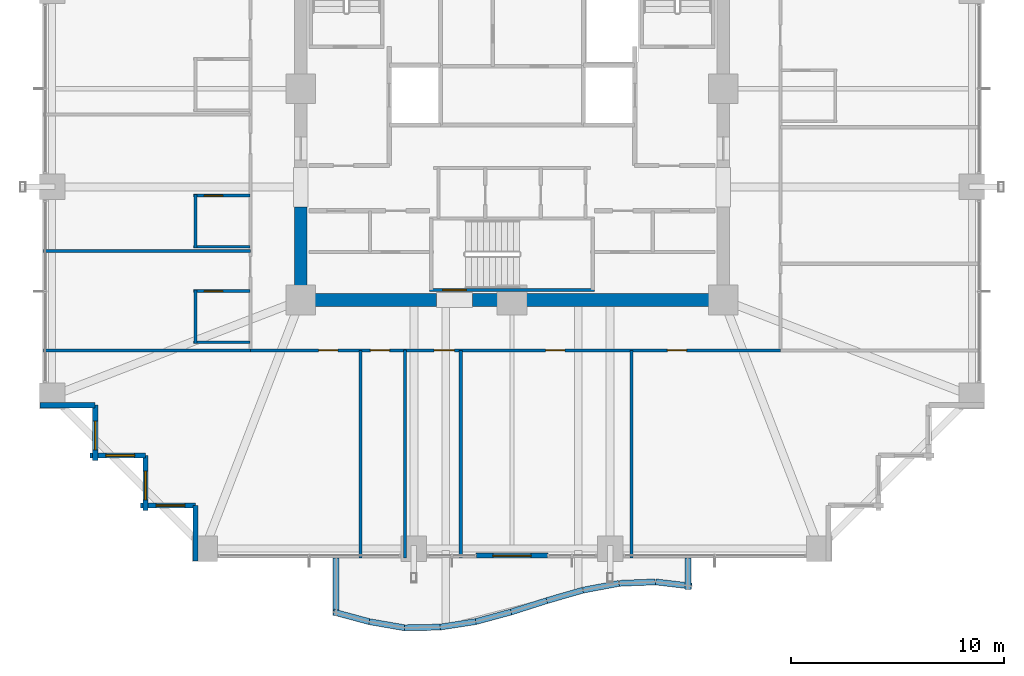
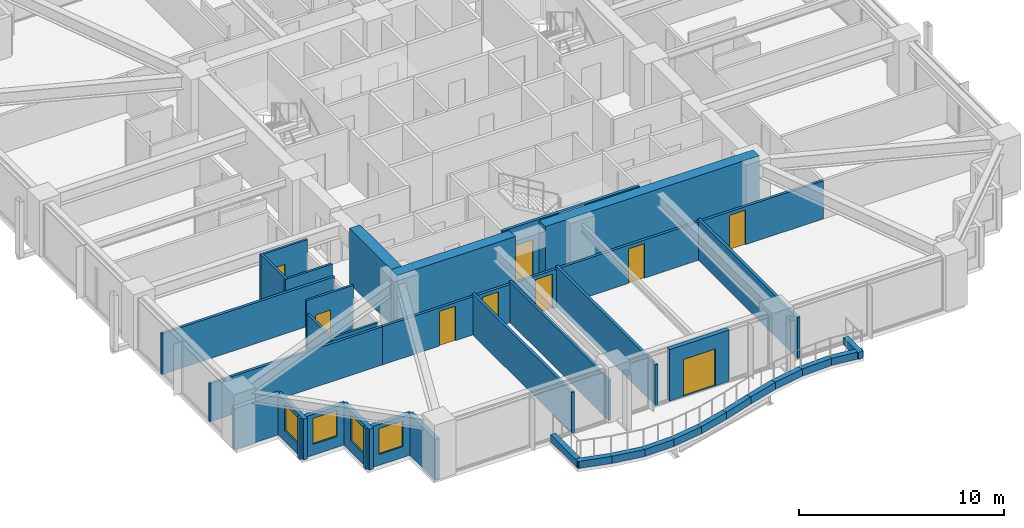
# One storey, part 31 of 38: 36 walls, 9 doors, 4 windows, 13 openings.
"""IFC4 building model written with IfcOpenShell, lengths in metres."""

import ifcopenshell
import ifcopenshell.guid

model = None  # the IFC model being written
_history = None  # IfcOwnerHistory: only IFC2X3 demands one
_inside = {}  # id of a spatial element -> (the spatial element, [elements in it])
_under = {}  # id of a project, library or spatial element -> (it, [spatial elements below it])
_declared = {}  # id of a project -> (the project, [libraries it declares])
_typed = {}  # id of a type object -> (the type object, [elements of that type])
_made_of = {}  # id of a material, layer set ... -> (it, [elements and type objects made of it])


def new_model(schema):
    """Start an empty IFC model of exactly this schema.

    Asked for "IFC4X3", IfcOpenShell would pick the latest addendum, in which some entities
    have other attributes; the version numbers below select the first issue.
    IFC2X3 requires an IfcOwnerHistory on every rooted entity: one is made here for all.
    """
    global model, _history
    if schema == "IFC4X3":
        model = ifcopenshell.file(schema_version=(4, 3, 0, 0))
    else:
        model = ifcopenshell.file(schema=schema)
    _inside.clear()
    _under.clear()
    _declared.clear()
    _typed.clear()
    _made_of.clear()
    _history = None
    if model.schema == "IFC2X3":
        org = make("IfcOrganization", Name="unknown")
        user = make(
            "IfcPersonAndOrganization",
            ThePerson=make("IfcPerson", FamilyName="unknown"),
            TheOrganization=org,
        )
        app = make(
            "IfcApplication",
            ApplicationDeveloper=org,
            Version="unknown",
            ApplicationFullName="unknown",
            ApplicationIdentifier="unknown",
        )
        _history = make(
            "IfcOwnerHistory",
            OwningUser=user,
            OwningApplication=app,
            ChangeAction="ADDED",
            CreationDate=0,
        )
    return model


def make(cls, **values):
    """One entity of the class cls with the attributes given. An attribute that is None is left unset."""
    return model.create_entity(
        cls, **{name: value for name, value in values.items() if value is not None}
    )


def rooted(cls, **values):
    """An entity with a GlobalId (a new one), such as an element, a storey or a relation."""
    return make(cls, GlobalId=ifcopenshell.guid.new(), OwnerHistory=_history, **values)


def si_unit(unit_type, name, prefix=None):
    """IfcSIUnit, for example si_unit("LENGTHUNIT", "METRE", prefix="MILLI")."""
    return make("IfcSIUnit", UnitType=unit_type, Prefix=prefix, Name=name)


def assignment(units):
    """IfcUnitAssignment: the units of a project."""
    return None if units is None else make("IfcUnitAssignment", Units=units)


def point(xyz):
    """IfcCartesianPoint."""
    return None if xyz is None else make("IfcCartesianPoint", Coordinates=xyz)


def direction(xyz):
    """IfcDirection."""
    return None if xyz is None else make("IfcDirection", DirectionRatios=xyz)


def frame(location, z_axis=None, x_axis=None):
    """IfcAxis2Placement3D, a coordinate frame: its origin and axes. An axis left out is left unset."""
    return make(
        "IfcAxis2Placement3D",
        Location=point(location),
        Axis=direction(z_axis),
        RefDirection=direction(x_axis),
    )


def frame_2d(location, x_axis=None):
    """IfcAxis2Placement2D, a coordinate frame in the plane: its origin and x axis."""
    return make(
        "IfcAxis2Placement2D", Location=point(location), RefDirection=direction(x_axis)
    )


def origin():
    """The frame at (0, 0, 0) with its axes left unset."""
    return frame((0.0, 0.0, 0.0))


def place(relative_to, where):
    """IfcLocalPlacement: puts the frame where relative to a parent placement (None: the world)."""
    return make(
        "IfcLocalPlacement", PlacementRelTo=relative_to, RelativePlacement=where
    )


def context(
    kind, dimensions, precision=None, world=None, true_north=None, identifier=None
):
    """IfcGeometricRepresentationContext, for example the 3D "Model" context."""
    return make(
        "IfcGeometricRepresentationContext",
        ContextIdentifier=identifier,
        ContextType=kind,
        CoordinateSpaceDimension=dimensions,
        Precision=precision,
        WorldCoordinateSystem=world,
        TrueNorth=true_north,
    )


def subcontext(parent, identifier, kind, view, scale=None):
    """IfcGeometricRepresentationSubContext, for example "Body" below "Model"."""
    return make(
        "IfcGeometricRepresentationSubContext",
        ContextIdentifier=identifier,
        ContextType=kind,
        ParentContext=parent,
        TargetScale=scale,
        TargetView=view,
    )


def project(units=None, contexts=None):
    """IfcProject with its units and contexts."""
    return rooted(
        "IfcProject",
        Name="project",
        RepresentationContexts=contexts,
        UnitsInContext=assignment(units),
    )


def spatial(cls, under=None, at=None, **own):
    """A site, building, storey or space (cls), placed at a placement, below another one or the project."""
    s = rooted(cls, ObjectPlacement=at, **own)
    if under is not None:
        _under.setdefault(under.id(), (under, []))[1].append(s)
    return s


def profile(cls, at=None, kind="AREA", **sizes):
    """A parametric profile (cls). Its sizes go by their IFC names, for example OverallWidth=200.0."""
    return make(cls, ProfileType=kind, Position=at, **sizes)


def rectangle(**sizes):
    """IfcRectangleProfileDef."""
    return profile("IfcRectangleProfileDef", **sizes)


def extrude(swept, where, along, depth):
    """IfcExtrudedAreaSolid: the profile swept, set in the frame where, extruded along a direction by depth."""
    return make(
        "IfcExtrudedAreaSolid",
        SweptArea=swept,
        Position=where,
        ExtrudedDirection=direction(along),
        Depth=depth,
    )


def shape(context_of_items, identifier, shape_type, items):
    """IfcShapeRepresentation: the items that make up one representation, for example the "Body"."""
    return make(
        "IfcShapeRepresentation",
        ContextOfItems=context_of_items,
        RepresentationIdentifier=identifier,
        RepresentationType=shape_type,
        Items=items,
    )


def material(Name=None, Category=None):
    """IfcMaterial."""
    return make("IfcMaterial", Name=Name, Category=Category)


def layer(
    of_material, thickness, ventilated=None, Name=None, Category=None, Priority=None
):
    """IfcMaterialLayer: one layer of a wall or slab, of a material (None: an air gap)."""
    return make(
        "IfcMaterialLayer",
        Material=of_material,
        LayerThickness=thickness,
        IsVentilated=ventilated,
        Name=Name,
        Category=Category,
        Priority=Priority,
    )


def layer_set(layers, Name=None):
    """IfcMaterialLayerSet."""
    return make("IfcMaterialLayerSet", MaterialLayers=layers, LayerSetName=Name)


def made_of(thing, what):
    """Note that an element or type object is made of a material, layer set ...; save() writes the relation."""
    if what is not None:
        _made_of.setdefault(what.id(), (what, []))[1].append(thing)
    return thing


def type_object(cls, material=None, **own):
    """A type object (cls), such as IfcWallType, which elements share."""
    return made_of(rooted(cls, **own), material)


def element(
    cls,
    number,
    at=None,
    inside=None,
    cuts=None,
    type_object=None,
    material=None,
    context=None,
    identifier="Body",
    shape_type=None,
    held_by="IfcProductDefinitionShape",
    body=None,
    shapes=None,
    **own,
):
    """One element of the class cls, such as IfcWall. Its Tag is "e" and its number.

    at: its placement. inside: the storey or other place that contains it. cuts: it is an
    opening in that element (IfcRelVoidsElement). A single representation is given by context,
    identifier, shape_type and body (its items); several are given by shapes. held_by: the class
    of the entity that holds the representations. save() writes the other relations.
    """
    e = rooted(cls, Tag="e%d" % number, ObjectPlacement=at, **own)
    if body is not None:
        shapes = [shape(context, identifier, shape_type, body)]
    if shapes is not None:
        e.Representation = make(held_by, Representations=shapes)
    if inside is not None:
        _inside.setdefault(inside.id(), (inside, []))[1].append(e)
    if cuts is not None:
        rooted(
            "IfcRelVoidsElement", RelatingBuildingElement=cuts, RelatedOpeningElement=e
        )
    if type_object is not None:
        _typed.setdefault(type_object.id(), (type_object, []))[1].append(e)
    return made_of(e, material)


def fill(opening, filler):
    """IfcRelFillsElement: the door or window that sits in an opening."""
    return rooted(
        "IfcRelFillsElement",
        RelatingOpeningElement=opening,
        RelatedBuildingElement=filler,
    )


def aggregate(whole, parts):
    """IfcRelAggregates: a whole, such as a stair, and the parts it consists of."""
    return rooted("IfcRelAggregates", RelatingObject=whole, RelatedObjects=parts)


def save(model, path):
    """Write the relations noted so far, then the file.

    IfcRelAggregates (storeys below a building ...), IfcRelContainedInSpatialStructure (elements
    in a storey), IfcRelDefinesByType, IfcRelAssociatesMaterial and IfcRelDeclares: one each for
    every whole, place, type object, material and project.
    """
    for whole, parts in _under.values():
        aggregate(whole, parts)
    for where, things in _inside.values():
        rooted(
            "IfcRelContainedInSpatialStructure",
            RelatedElements=things,
            RelatingStructure=where,
        )
    for kind, things in _typed.values():
        rooted("IfcRelDefinesByType", RelatedObjects=things, RelatingType=kind)
    for what, things in _made_of.values():
        rooted("IfcRelAssociatesMaterial", RelatedObjects=things, RelatingMaterial=what)
    for by, libraries in _declared.values():
        rooted("IfcRelDeclares", RelatingContext=by, RelatedDefinitions=libraries)
    model.write(path)


model = new_model("IFC4")

# Units and contexts
model_context = context("Model", 3, precision=1e-05, world=origin(), true_north=direction((0.0, 1.0)))
body_context = subcontext(model_context, "Body", "Model", "MODEL_VIEW")
ifc_project = project(units=[si_unit("LENGTHUNIT", "METRE"), si_unit("AREAUNIT", "SQUARE_METRE"), si_unit("VOLUMEUNIT", "CUBIC_METRE"), si_unit("PLANEANGLEUNIT", "RADIAN"), si_unit("MASSUNIT", "GRAM", prefix="KILO")], contexts=[model_context])

# Site, building, storey
site_placement = place(None, origin())
site = spatial("IfcSite", under=ifc_project, at=site_placement, CompositionType="ELEMENT")
building_placement = place(site_placement, origin())
building = spatial("IfcBuilding", under=site, at=building_placement, Name="Kolvaren Belvedere", CompositionType="ELEMENT")
storey_placement = place(building_placement, frame((0.0, 0.0, 50.199951171875)))
storey = spatial("IfcBuildingStorey", under=building, at=storey_placement, Name="L14", CompositionType="ELEMENT", Elevation=50.199951171875)

# Walls
ifc_material_1 = material(Name="Concrete C60/75", Category="concrete")
ifc_layer_1 = layer(ifc_material_1, 0.60009765625)
ifc_layer_set_1 = layer_set([ifc_layer_1], Name="Concrete C60/75")
wall_type_1 = type_object("IfcWallType", Name="CW-CORE-600", PredefinedType="SHEAR", material=ifc_layer_set_1)
wall_1_placement = place(storey_placement, frame((10.199951171875, -9.89990234375, 0.0), z_axis=(0.0, 0.0, 1.0), x_axis=(-1.0, 0.0, 0.0)))
element("IfcWall", 1, at=wall_1_placement, inside=storey, type_object=wall_type_1, Name="L14 South Core Shear Wall 1", PredefinedType="SHEAR", context=body_context, shape_type="SweptSolid", body=[
    extrude(rectangle(XDim=12.06005859375, YDim=0.60009765625, at=frame_2d((6.030029296875, 0.0))), origin(), (0.0, 0.0, 1.0), 3.300048828125),
])
wall_2_placement = place(storey_placement, frame((-3.5400390625, -9.89990234375, 0.0), z_axis=(0.0, 0.0, 1.0), x_axis=(-1.0, 0.0, 0.0)))
element("IfcWall", 2, at=wall_2_placement, inside=storey, type_object=wall_type_1, Name="L14 South Core Shear Wall 2", PredefinedType="SHEAR", context=body_context, shape_type="SweptSolid", body=[
    extrude(rectangle(XDim=6.659912109375, YDim=0.60009765625, at=frame_2d((3.330078125, 0.0))), origin(), (0.0, 0.0, 1.0), 3.300048828125),
])
wall_3_placement = place(storey_placement, frame((-9.89990234375, -9.60009765625, 0.0), z_axis=(0.0, 0.0, 1.0), x_axis=(0.0, 1.0, 0.0)))
element("IfcWall", 3, at=wall_3_placement, inside=storey, type_object=wall_type_1, Name="L14 West Core Shear Wall 1", PredefinedType="SHEAR", context=body_context, shape_type="SweptSolid", body=[
    extrude(rectangle(XDim=4.050048828125, YDim=0.60009765625, at=frame_2d((2.02490234375, 0.0))), origin(), (0.0, 0.0, 1.0), 3.300048828125),
])

# Wall, opening, door
ifc_material_2 = material(Name="Concrete C50/60", Category="concrete")
ifc_layer_2 = layer(ifc_material_2, 0.159912109375)
ifc_layer_set_2 = layer_set([ifc_layer_2], Name="Concrete C50/60")
wall_type_2 = type_object("IfcWallType", Name="CW-STAIR-160", PredefinedType="SHEAR", material=ifc_layer_set_2)
wall_4_placement = place(storey_placement, frame((3.860107421875, -9.429931640625, 0.0), z_axis=(0.0, 0.0, 1.0), x_axis=(-1.0, 0.0, 0.0)))
wall_4 = element("IfcWall", 4, at=wall_4_placement, inside=storey, type_object=wall_type_2, Name="L14 Stair ST-3 South Shear Wall", PredefinedType="SHEAR", context=body_context, shape_type="SweptSolid", body=[
    extrude(rectangle(XDim=7.72021484375, YDim=0.159912109375, at=frame_2d((3.860107421875, 0.0))), origin(), (0.0, 0.0, 1.0), 3.300048828125),
])
opening_1_placement = place(wall_4_placement, frame((6.010009765625, 0.0, 0.0)))
opening_1 = element("IfcOpeningElement", 5, at=opening_1_placement, cuts=wall_4, Name="Opening D-FD90", PredefinedType="OPENING", context=body_context, shape_type="SweptSolid", body=[
    extrude(rectangle(XDim=1.10009765625, YDim=2.199951171875, at=frame_2d((0.550048828125, 1.10009765625))), frame((0.0, 0.08984375, 0.0), z_axis=(0.0, -1.0, 0.0), x_axis=(1.0, 0.0, 0.0)), (0.0, 0.0, 1.0), 0.179931640625),
])
ifc_material_3 = material(Name="Painted hollow stainless steel", Category="steel")
door_type_1 = type_object("IfcDoorType", Name="DR-FD90-1100", OperationType="NOTDEFINED", PredefinedType="DOOR", material=ifc_material_3)
door_1_placement = place(opening_1_placement, origin())
door_1 = element("IfcDoor", 6, at=door_1_placement, inside=storey, type_object=door_type_1, Name="L14 Stair ST-3 Exit Door", OperationType="SINGLE_SWING_RIGHT", OverallHeight=2.199951171875, OverallWidth=1.10009765625, PredefinedType="DOOR", context=body_context, shape_type="SweptSolid", body=[
    extrude(rectangle(XDim=1.10009765625, YDim=2.199951171875, at=frame_2d((0.550048828125, 1.10009765625))), frame((0.0, 0.02490234375, 0.0), z_axis=(0.0, -1.0, 0.0), x_axis=(1.0, 0.0, 0.0)), (0.0, 0.0, 1.0), 0.050048828125),
])
fill(opening_1, door_1)

# Wall, openings, doors
ifc_material_4 = material(Name="Gypsum fire-rated partition assembly", Category="gypsum")
ifc_layer_3 = layer(ifc_material_4, 0.14990234375)
ifc_layer_set_3 = layer_set([ifc_layer_3], Name="Gypsum fire-rated partition assembly")
wall_type_3 = type_object("IfcWallType", Name="WL-CORR-150", PredefinedType="PARTITIONING", material=ifc_layer_set_3)
wall_5_placement = place(storey_placement, frame((-12.260009765625, -12.260009765625, 0.0), z_axis=(0.0, 0.0, 1.0), x_axis=(1.0, 0.0, 0.0)))
wall_5 = element("IfcWall", 7, at=wall_5_placement, inside=storey, type_object=wall_type_3, Name="L14 South Corridor Wall", PredefinedType="PARTITIONING", context=body_context, shape_type="SweptSolid", body=[
    extrude(rectangle(XDim=24.840087890625, YDim=0.14990234375, at=frame_2d((12.419921875, 0.0))), origin(), (0.0, 0.0, 1.0), 2.27197265625),
])
opening_2_placement = place(wall_5_placement, frame((3.203125, 0.0, 0.0)))
opening_2 = element("IfcOpeningElement", 8, at=opening_2_placement, cuts=wall_5, Name="Opening D-INT90", PredefinedType="OPENING", context=body_context, shape_type="SweptSolid", body=[
    extrude(rectangle(XDim=0.89990234375, YDim=2.06005859375, at=frame_2d((0.449951171875, 1.030029296875))), frame((0.0, 0.0849609375, 0.0), z_axis=(0.0, -1.0, 0.0), x_axis=(1.0, 0.0, 0.0)), (0.0, 0.0, 1.0), 0.169921875),
])
opening_3_placement = place(wall_5_placement, frame((5.628173828125, 0.0, 0.0)))
opening_3 = element("IfcOpeningElement", 9, at=opening_3_placement, cuts=wall_5, Name="Opening D-INT90", PredefinedType="OPENING", context=body_context, shape_type="SweptSolid", body=[
    extrude(rectangle(XDim=0.89990234375, YDim=2.06005859375, at=frame_2d((0.449951171875, 1.030029296875))), frame((0.0, 0.0849609375, 0.0), z_axis=(0.0, -1.0, 0.0), x_axis=(1.0, 0.0, 0.0)), (0.0, 0.0, 1.0), 0.169921875),
])
opening_4_placement = place(wall_5_placement, frame((8.610595703125, 0.0, 0.0)))
opening_4 = element("IfcOpeningElement", 10, at=opening_4_placement, cuts=wall_5, Name="Opening D-INT95", PredefinedType="OPENING", context=body_context, shape_type="SweptSolid", body=[
    extrude(rectangle(XDim=0.949951171875, YDim=2.06005859375, at=frame_2d((0.47509765625, 1.030029296875))), frame((0.0, 0.0849609375, 0.0), z_axis=(0.0, -1.0, 0.0), x_axis=(1.0, 0.0, 0.0)), (0.0, 0.0, 1.0), 0.169921875),
])
opening_5_placement = place(wall_5_placement, frame((13.840087890625, 0.0, 0.0)))
opening_5 = element("IfcOpeningElement", 11, at=opening_5_placement, cuts=wall_5, Name="Opening D-INT90", PredefinedType="OPENING", context=body_context, shape_type="SweptSolid", body=[
    extrude(rectangle(XDim=0.89990234375, YDim=2.06005859375, at=frame_2d((0.449951171875, 1.030029296875))), frame((0.0, 0.0849609375, 0.0), z_axis=(0.0, -1.0, 0.0), x_axis=(1.0, 0.0, 0.0)), (0.0, 0.0, 1.0), 0.169921875),
])
opening_6_placement = place(wall_5_placement, frame((19.5419921875, 0.0, 0.0)))
opening_6 = element("IfcOpeningElement", 12, at=opening_6_placement, cuts=wall_5, Name="Opening D-INT90", PredefinedType="OPENING", context=body_context, shape_type="SweptSolid", body=[
    extrude(rectangle(XDim=0.89990234375, YDim=2.06005859375, at=frame_2d((0.449951171875, 1.030029296875))), frame((0.0, 0.0849609375, 0.0), z_axis=(0.0, -1.0, 0.0), x_axis=(1.0, 0.0, 0.0)), (0.0, 0.0, 1.0), 0.169921875),
])
ifc_material_5 = material(Name="Stained Pacific white oak", Category="timber")
door_type_2 = type_object("IfcDoorType", Name="DR-INT-900", OperationType="NOTDEFINED", PredefinedType="DOOR", material=ifc_material_5)
door_2_placement = place(opening_2_placement, origin())
door_2 = element("IfcDoor", 13, at=door_2_placement, inside=storey, type_object=door_type_2, Name="L14 Lounge 1401 Door", OperationType="SINGLE_SWING_RIGHT", OverallHeight=2.06005859375, OverallWidth=0.89990234375, PredefinedType="DOOR", context=body_context, shape_type="SweptSolid", body=[
    extrude(rectangle(XDim=0.89990234375, YDim=2.06005859375, at=frame_2d((0.449951171875, 1.030029296875))), frame((0.0, 0.02490234375, 0.0), z_axis=(0.0, -1.0, 0.0), x_axis=(1.0, 0.0, 0.0)), (0.0, 0.0, 1.0), 0.050048828125),
])
fill(opening_2, door_2)
door_3_placement = place(opening_3_placement, origin())
door_3 = element("IfcDoor", 14, at=door_3_placement, inside=storey, type_object=door_type_2, Name="L14 Housekeeping Door", OperationType="SINGLE_SWING_LEFT", OverallHeight=2.06005859375, OverallWidth=0.89990234375, PredefinedType="DOOR", context=body_context, shape_type="SweptSolid", body=[
    extrude(rectangle(XDim=0.89990234375, YDim=2.06005859375, at=frame_2d((0.449951171875, 1.030029296875))), frame((0.0, 0.02490234375, 0.0), z_axis=(0.0, -1.0, 0.0), x_axis=(1.0, 0.0, 0.0)), (0.0, 0.0, 1.0), 0.050048828125),
])
fill(opening_3, door_3)
door_4_placement = place(opening_5_placement, origin())
door_4 = element("IfcDoor", 15, at=door_4_placement, inside=storey, type_object=door_type_2, Name="L14 Private Hospitality Meeting Room 1402 Door", OperationType="SINGLE_SWING_LEFT", OverallHeight=2.06005859375, OverallWidth=0.89990234375, PredefinedType="DOOR", context=body_context, shape_type="SweptSolid", body=[
    extrude(rectangle(XDim=0.89990234375, YDim=2.06005859375, at=frame_2d((0.449951171875, 1.030029296875))), frame((0.0, 0.02490234375, 0.0), z_axis=(0.0, -1.0, 0.0), x_axis=(1.0, 0.0, 0.0)), (0.0, 0.0, 1.0), 0.050048828125),
])
fill(opening_5, door_4)
door_5_placement = place(opening_6_placement, origin())
door_5 = element("IfcDoor", 16, at=door_5_placement, inside=storey, type_object=door_type_2, Name="L14 Lounge 1403 Door", OperationType="SINGLE_SWING_RIGHT", OverallHeight=2.06005859375, OverallWidth=0.89990234375, PredefinedType="DOOR", context=body_context, shape_type="SweptSolid", body=[
    extrude(rectangle(XDim=0.89990234375, YDim=2.06005859375, at=frame_2d((0.449951171875, 1.030029296875))), frame((0.0, 0.02490234375, 0.0), z_axis=(0.0, -1.0, 0.0), x_axis=(1.0, 0.0, 0.0)), (0.0, 0.0, 1.0), 0.050048828125),
])
fill(opening_6, door_5)
ifc_material_6 = material(Name="Stained Pacific white oak", Category="timber")
door_type_3 = type_object("IfcDoorType", Name="DR-INT-950", OperationType="NOTDEFINED", PredefinedType="DOOR", material=ifc_material_6)
door_6_placement = place(opening_4_placement, origin())
door_6 = element("IfcDoor", 17, at=door_6_placement, inside=storey, type_object=door_type_3, Name="L14 Accessible Washroom Door", OperationType="SINGLE_SWING_RIGHT", OverallHeight=2.06005859375, OverallWidth=0.949951171875, PredefinedType="DOOR", context=body_context, shape_type="SweptSolid", body=[
    extrude(rectangle(XDim=0.949951171875, YDim=2.06005859375, at=frame_2d((0.47509765625, 1.030029296875))), frame((0.0, 0.02490234375, 0.0), z_axis=(0.0, -1.0, 0.0), x_axis=(1.0, 0.0, 0.0)), (0.0, 0.0, 1.0), 0.050048828125),
])
fill(opening_4, door_6)

# Wall, opening, door
ifc_material_7 = material(Name="Insulated pale-metal facade wall assembly", Category="aluminium")
ifc_layer_4 = layer(ifc_material_7, 0.239990234375)
ifc_layer_set_4 = layer_set([ifc_layer_4], Name="Insulated pale-metal facade wall assembly")
wall_type_4 = type_object("IfcWallType", Name="WL-EXT-240", PredefinedType="STANDARD", material=ifc_layer_set_4)
wall_6_placement = place(storey_placement, frame((1.679931640625, -21.8798828125, 0.0), z_axis=(0.0, 0.0, 1.0), x_axis=(-1.0, 0.0, 0.0)))
wall_6 = element("IfcWall", 18, at=wall_6_placement, inside=storey, type_object=wall_type_4, Name="L14 South Terrace Portal Wall", PredefinedType="STANDARD", context=body_context, shape_type="SweptSolid", body=[
    extrude(rectangle(XDim=3.35986328125, YDim=0.239990234375, at=frame_2d((1.679931640625, 0.0))), origin(), (0.0, 0.0, 1.0), 3.06005859375),
])
opening_7_placement = place(wall_6_placement, frame((0.780029296875, 0.0, 0.0)))
opening_7 = element("IfcOpeningElement", 19, at=opening_7_placement, cuts=wall_6, Name="Opening DB-1800", PredefinedType="OPENING", context=body_context, shape_type="SweptSolid", body=[
    extrude(rectangle(XDim=1.800048828125, YDim=2.199951171875, at=frame_2d((0.89990234375, 1.10009765625))), frame((0.0, 0.1298828125, 0.0), z_axis=(0.0, -1.0, 0.0), x_axis=(1.0, 0.0, 0.0)), (0.0, 0.0, 1.0), 0.260009765625),
])
ifc_material_8 = material(Name="Thermally broken pale-metal aluminium & low-iron glass", Category="aluminium")
door_type_4 = type_object("IfcDoorType", Name="DR-BAL-1800", OperationType="DOUBLE_DOOR_SLIDING", PredefinedType="DOOR", material=ifc_material_8)
door_7_placement = place(opening_7_placement, origin())
door_7 = element("IfcDoor", 20, at=door_7_placement, inside=storey, type_object=door_type_4, Name="L14 South Planted Terrace Sliding Door", OperationType="DOUBLE_DOOR_SLIDING", OverallHeight=2.199951171875, OverallWidth=1.800048828125, PredefinedType="DOOR", context=body_context, shape_type="SweptSolid", body=[
    extrude(rectangle(XDim=1.800048828125, YDim=2.199951171875, at=frame_2d((0.89990234375, 1.10009765625))), frame((0.0, 0.02490234375, 0.0), z_axis=(0.0, -1.0, 0.0), x_axis=(1.0, 0.0, 0.0)), (0.0, 0.0, 1.0), 0.050048828125),
])
fill(opening_7, door_7)

# Wall
wall_7_placement = place(storey_placement, frame((-19.530029296875, -14.830078125, 0.0), z_axis=(0.0, 0.0, 1.0), x_axis=(-1.0, 0.0, 0.0)))
element("IfcWall", 21, at=wall_7_placement, inside=storey, type_object=wall_type_4, Name="L14 Serrated Corner Facade Wall 23", PredefinedType="STANDARD", context=body_context, shape_type="SweptSolid", body=[
    extrude(rectangle(XDim=2.590087890625, YDim=0.239990234375, at=frame_2d((1.294921875, 0.0))), origin(), (0.0, 0.0, 1.0), 2.43896484375),
])

# Wall, opening, window
wall_8_placement = place(storey_placement, frame((-19.530029296875, -17.419921875, 0.0), z_axis=(0.0, 0.0, 1.0), x_axis=(0.0, 1.0, 0.0)))
wall_8 = element("IfcWall", 22, at=wall_8_placement, inside=storey, type_object=wall_type_4, Name="L14 Serrated Corner Facade Wall 24", PredefinedType="STANDARD", context=body_context, shape_type="SweptSolid", body=[
    extrude(rectangle(XDim=2.58984375, YDim=0.239990234375, at=frame_2d((1.294921875, 0.0))), origin(), (0.0, 0.0, 1.0), 2.43896484375),
])
opening_8_placement = place(wall_8_placement, frame((0.5, 0.0, 0.64990234375)))
opening_8 = element("IfcOpeningElement", 23, at=opening_8_placement, cuts=wall_8, Name="Opening W-1350", PredefinedType="OPENING", context=body_context, shape_type="SweptSolid", body=[
    extrude(rectangle(XDim=1.35009765625, YDim=1.550048828125, at=frame_2d((0.675048828125, 0.77490234375))), frame((0.0, 0.1298828125, 0.0), z_axis=(0.0, -1.0, 0.0), x_axis=(1.0, 0.0, 0.0)), (0.0, 0.0, 1.0), 0.260009765625),
])
ifc_material_9 = material(Name="Low-iron triple insulated glass", Category="glass")
window_type = type_object("IfcWindowType", Name="WN-CORN-1350", PartitioningType="SINGLE_PANEL", PredefinedType="WINDOW", material=ifc_material_9)
window_1_placement = place(opening_8_placement, origin())
window_1 = element("IfcWindow", 24, at=window_1_placement, inside=storey, type_object=window_type, Name="L14 Serrated Corner Vision Window 24", OverallHeight=1.550048828125, OverallWidth=1.35009765625, PartitioningType="SINGLE_PANEL", PredefinedType="WINDOW", context=body_context, shape_type="SweptSolid", body=[
    extrude(rectangle(XDim=1.35009765625, YDim=1.550048828125, at=frame_2d((0.675048828125, 0.77490234375))), frame((0.0, 0.030029296875, 0.0), z_axis=(0.0, -1.0, 0.0), x_axis=(1.0, 0.0, 0.0)), (0.0, 0.0, 1.0), 0.06005859375),
])
fill(opening_8, window_1)

wall_9_placement = place(storey_placement, frame((-17.179931640625, -17.179931640625, 0.0), z_axis=(0.0, 0.0, 1.0), x_axis=(-1.0, 0.0, 0.0)))
wall_9 = element("IfcWall", 25, at=wall_9_placement, inside=storey, type_object=wall_type_4, Name="L14 Serrated Corner Facade Wall 25", PredefinedType="STANDARD", context=body_context, shape_type="SweptSolid", body=[
    extrude(rectangle(XDim=2.590087890625, YDim=0.239990234375, at=frame_2d((1.294921875, 0.0))), origin(), (0.0, 0.0, 1.0), 2.43896484375),
])
opening_9_placement = place(wall_9_placement, frame((0.5, 0.0, 0.64990234375)))
opening_9 = element("IfcOpeningElement", 26, at=opening_9_placement, cuts=wall_9, Name="Opening W-1350", PredefinedType="OPENING", context=body_context, shape_type="SweptSolid", body=[
    extrude(rectangle(XDim=1.35009765625, YDim=1.550048828125, at=frame_2d((0.675048828125, 0.77490234375))), frame((0.0, 0.1298828125, 0.0), z_axis=(0.0, -1.0, 0.0), x_axis=(1.0, 0.0, 0.0)), (0.0, 0.0, 1.0), 0.260009765625),
])
window_2_placement = place(opening_9_placement, origin())
window_2 = element("IfcWindow", 27, at=window_2_placement, inside=storey, type_object=window_type, Name="L14 Serrated Corner Vision Window 25", OverallHeight=1.550048828125, OverallWidth=1.35009765625, PartitioningType="SINGLE_PANEL", PredefinedType="WINDOW", context=body_context, shape_type="SweptSolid", body=[
    extrude(rectangle(XDim=1.35009765625, YDim=1.550048828125, at=frame_2d((0.675048828125, 0.77490234375))), frame((0.0, 0.030029296875, 0.0), z_axis=(0.0, -1.0, 0.0), x_axis=(1.0, 0.0, 0.0)), (0.0, 0.0, 1.0), 0.06005859375),
])
fill(opening_9, window_2)

wall_10_placement = place(storey_placement, frame((-17.179931640625, -19.77001953125, 0.0), z_axis=(0.0, 0.0, 1.0), x_axis=(0.0, 1.0, 0.0)))
wall_10 = element("IfcWall", 28, at=wall_10_placement, inside=storey, type_object=wall_type_4, Name="L14 Serrated Corner Facade Wall 26", PredefinedType="STANDARD", context=body_context, shape_type="SweptSolid", body=[
    extrude(rectangle(XDim=2.590087890625, YDim=0.239990234375, at=frame_2d((1.294921875, 0.0))), origin(), (0.0, 0.0, 1.0), 2.43896484375),
])
opening_10_placement = place(wall_10_placement, frame((0.5, 0.0, 0.64990234375)))
opening_10 = element("IfcOpeningElement", 29, at=opening_10_placement, cuts=wall_10, Name="Opening W-1350", PredefinedType="OPENING", context=body_context, shape_type="SweptSolid", body=[
    extrude(rectangle(XDim=1.35009765625, YDim=1.550048828125, at=frame_2d((0.675048828125, 0.77490234375))), frame((0.0, 0.1298828125, 0.0), z_axis=(0.0, -1.0, 0.0), x_axis=(1.0, 0.0, 0.0)), (0.0, 0.0, 1.0), 0.260009765625),
])
window_3_placement = place(opening_10_placement, origin())
window_3 = element("IfcWindow", 30, at=window_3_placement, inside=storey, type_object=window_type, Name="L14 Serrated Corner Vision Window 26", OverallHeight=1.550048828125, OverallWidth=1.35009765625, PartitioningType="SINGLE_PANEL", PredefinedType="WINDOW", context=body_context, shape_type="SweptSolid", body=[
    extrude(rectangle(XDim=1.35009765625, YDim=1.550048828125, at=frame_2d((0.675048828125, 0.77490234375))), frame((0.0, 0.030029296875, 0.0), z_axis=(0.0, -1.0, 0.0), x_axis=(1.0, 0.0, 0.0)), (0.0, 0.0, 1.0), 0.06005859375),
])
fill(opening_10, window_3)

wall_11_placement = place(storey_placement, frame((-14.830078125, -19.530029296875, 0.0), z_axis=(0.0, 0.0, 1.0), x_axis=(-1.0, 0.0, 0.0)))
wall_11 = element("IfcWall", 31, at=wall_11_placement, inside=storey, type_object=wall_type_4, Name="L14 Serrated Corner Facade Wall 27", PredefinedType="STANDARD", context=body_context, shape_type="SweptSolid", body=[
    extrude(rectangle(XDim=2.58984375, YDim=0.239990234375, at=frame_2d((1.294921875, 0.0))), origin(), (0.0, 0.0, 1.0), 2.43896484375),
])
opening_11_placement = place(wall_11_placement, frame((0.5, 0.0, 0.64990234375)))
opening_11 = element("IfcOpeningElement", 32, at=opening_11_placement, cuts=wall_11, Name="Opening W-1350", PredefinedType="OPENING", context=body_context, shape_type="SweptSolid", body=[
    extrude(rectangle(XDim=1.35009765625, YDim=1.550048828125, at=frame_2d((0.675048828125, 0.77490234375))), frame((0.0, 0.1298828125, 0.0), z_axis=(0.0, -1.0, 0.0), x_axis=(1.0, 0.0, 0.0)), (0.0, 0.0, 1.0), 0.260009765625),
])
window_4_placement = place(opening_11_placement, origin())
window_4 = element("IfcWindow", 33, at=window_4_placement, inside=storey, type_object=window_type, Name="L14 Serrated Corner Vision Window 27", OverallHeight=1.550048828125, OverallWidth=1.35009765625, PartitioningType="SINGLE_PANEL", PredefinedType="WINDOW", context=body_context, shape_type="SweptSolid", body=[
    extrude(rectangle(XDim=1.35009765625, YDim=1.550048828125, at=frame_2d((0.675048828125, 0.77490234375))), frame((0.0, 0.030029296875, 0.0), z_axis=(0.0, -1.0, 0.0), x_axis=(1.0, 0.0, 0.0)), (0.0, 0.0, 1.0), 0.06005859375),
])
fill(opening_11, window_4)

# Walls
wall_12_placement = place(storey_placement, frame((-14.830078125, -22.1201171875, 0.0), z_axis=(0.0, 0.0, 1.0), x_axis=(0.0, 1.0, 0.0)))
element("IfcWall", 34, at=wall_12_placement, inside=storey, type_object=wall_type_4, Name="L14 Serrated Corner Facade Wall 28", PredefinedType="STANDARD", context=body_context, shape_type="SweptSolid", body=[
    extrude(rectangle(XDim=2.590087890625, YDim=0.239990234375, at=frame_2d((1.294921875, 0.0))), origin(), (0.0, 0.0, 1.0), 2.43896484375),
])
ifc_material_10 = material(Name="Gypsum acoustic partition assembly", Category="gypsum")
ifc_layer_5 = layer(ifc_material_10, 0.14990234375)
ifc_layer_set_5 = layer_set([ifc_layer_5], Name="Gypsum acoustic partition assembly")
wall_type_5 = type_object("IfcWallType", Name="WL-PART-150", PredefinedType="PARTITIONING", material=ifc_layer_set_5)
wall_13_placement = place(storey_placement, frame((-21.97998046875, -12.260009765625, 0.0), z_axis=(0.0, 0.0, 1.0), x_axis=(1.0, 0.0, 0.0)))
element("IfcWall", 35, at=wall_13_placement, inside=storey, type_object=wall_type_5, Name="L14 Wing Divider PW-L14-QSW", PredefinedType="PARTITIONING", context=body_context, shape_type="SweptSolid", body=[
    extrude(rectangle(XDim=9.719970703125, YDim=0.14990234375, at=frame_2d((4.85986328125, 0.0))), origin(), (0.0, 0.0, 1.0), 2.27197265625),
])
for number, where, z_axis, x_axis, name in (
    (36, (-7.10009765625, -21.97998046875, 0.0), (0.0, 0.0, 1.0), (0.0, 1.0, 0.0), "L14 South Suite Demising Wall 1"),
    (37, (-2.39990234375, -21.97998046875, 0.0), (0.0, 0.0, 1.0), (0.0, 1.0, 0.0), "L14 South Suite Demising Wall 2"),
    (38, (5.60009765625, -21.97998046875, 0.0), (0.0, 0.0, 1.0), (0.0, 1.0, 0.0), "L14 South Suite Demising Wall 3"),
    (39, (-21.97998046875, -7.60009765625, 0.0), (0.0, 0.0, 1.0), (1.0, 0.0, 0.0), "L14 West Suite Demising Wall 1"),
):
    element("IfcWall", number, at=place(storey_placement, frame(where, z_axis=z_axis, x_axis=x_axis)), inside=storey, type_object=wall_type_5, Name=name, PredefinedType="PARTITIONING", context=body_context, shape_type="SweptSolid", body=[
        extrude(rectangle(XDim=9.719970703125, YDim=0.14990234375, at=frame_2d((4.85986328125, 0.0))), origin(), (0.0, 0.0, 1.0), 2.428955078125),
    ])
ifc_material_11 = material(Name="Precast concrete C40/50", Category="concrete")
ifc_layer_6 = layer(ifc_material_11, 0.300048828125)
ifc_layer_set_6 = layer_set([ifc_layer_6], Name="Precast concrete C40/50")
wall_type_6 = type_object("IfcWallType", Name="WL-PLANTER-300", PredefinedType="PARAPET", material=ifc_layer_set_6)
wall_14_placement = place(storey_placement, frame((-8.3583984375, -24.519287109375, -0.06005859375), z_axis=(0.0, 0.0, 1.0), x_axis=(0.965434024814, -0.260647546949, 0.0)))
element("IfcWall", 40, at=wall_14_placement, inside=storey, type_object=wall_type_6, Name="L14 Precast Structural Planter Wall BAL-S-1", PredefinedType="PARAPET", context=body_context, shape_type="SweptSolid", body=[
    extrude(rectangle(XDim=1.740234375, YDim=0.280029296875, at=frame_2d((0.8701171875, 0.0))), origin(), (0.0, 0.0, 1.0), 0.420166015625),
])
wall_15_placement = place(storey_placement, frame((-6.6923828125, -24.9697265625, -0.06005859375), z_axis=(0.0, 0.0, 1.0), x_axis=(0.985156010777, -0.171661394699, 0.0)))
element("IfcWall", 41, at=wall_15_placement, inside=storey, type_object=wall_type_6, Name="L14 Precast Structural Planter Wall BAL-S-2", PredefinedType="PARAPET", context=body_context, shape_type="SweptSolid", body=[
    extrude(rectangle(XDim=1.705322265625, YDim=0.280029296875, at=frame_2d((0.8525390625, 0.0))), origin(), (0.0, 0.0, 1.0), 0.420166015625),
])
wall_16_placement = place(storey_placement, frame((-5.043212890625, -25.260009765625, -0.06005859375), z_axis=(0.0, 0.0, 1.0), x_axis=(0.999796031266, 0.020196431964, 0.0)))
element("IfcWall", 42, at=wall_16_placement, inside=storey, type_object=wall_type_6, Name="L14 Precast Structural Planter Wall BAL-S-3", PredefinedType="PARAPET", context=body_context, shape_type="SweptSolid", body=[
    extrude(rectangle(XDim=1.68017578125, YDim=0.280029296875, at=frame_2d((0.840087890625, 0.0))), origin(), (0.0, 0.0, 1.0), 0.420166015625),
])
wall_17_placement = place(storey_placement, frame((-3.384521484375, -25.22802734375, -0.06005859375), z_axis=(0.0, 0.0, 1.0), x_axis=(0.988345118302, 0.152229849666, 0.0)))
element("IfcWall", 43, at=wall_17_placement, inside=storey, type_object=wall_type_6, Name="L14 Precast Structural Planter Wall BAL-S-4", PredefinedType="PARAPET", context=body_context, shape_type="SweptSolid", body=[
    extrude(rectangle(XDim=1.699951171875, YDim=0.280029296875, at=frame_2d((0.85009765625, 0.0))), origin(), (0.0, 0.0, 1.0), 0.420166015625),
])
wall_18_placement = place(storey_placement, frame((-1.7216796875, -24.972900390625, -0.06005859375), z_axis=(0.0, 0.0, 1.0), x_axis=(0.965424492388, 0.260682852326, 0.0)))
element("IfcWall", 44, at=wall_18_placement, inside=storey, type_object=wall_type_6, Name="L14 Precast Structural Planter Wall BAL-S-5", PredefinedType="PARAPET", context=body_context, shape_type="SweptSolid", body=[
    extrude(rectangle(XDim=1.739990234375, YDim=0.280029296875, at=frame_2d((0.8701171875, 0.0))), origin(), (0.0, 0.0, 1.0), 0.420166015625),
])
wall_19_placement = place(storey_placement, frame((-0.048583984375, -24.521240234375, -0.06005859375), z_axis=(0.0, 0.0, 1.0), x_axis=(0.952661770826, 0.304032153573, 0.0)))
element("IfcWall", 45, at=wall_19_placement, inside=storey, type_object=wall_type_6, Name="L14 Precast Structural Planter Wall BAL-S-6", PredefinedType="PARAPET", context=body_context, shape_type="SweptSolid", body=[
    extrude(rectangle(XDim=1.763427734375, YDim=0.280029296875, at=frame_2d((0.8818359375, 0.0))), origin(), (0.0, 0.0, 1.0), 0.420166015625),
])
wall_20_placement = place(storey_placement, frame((1.635498046875, -23.98388671875, -0.06005859375), z_axis=(0.0, 0.0, 1.0), x_axis=(0.96059663827, 0.277946215201, 0.0)))
element("IfcWall", 46, at=wall_20_placement, inside=storey, type_object=wall_type_6, Name="L14 Precast Structural Planter Wall BAL-S-7", PredefinedType="PARAPET", context=body_context, shape_type="SweptSolid", body=[
    extrude(rectangle(XDim=1.748779296875, YDim=0.280029296875, at=frame_2d((0.87451171875, 0.0))), origin(), (0.0, 0.0, 1.0), 0.420166015625),
])
wall_21_placement = place(storey_placement, frame((3.330322265625, -23.494384765625, -0.06005859375), z_axis=(0.0, 0.0, 1.0), x_axis=(0.982804219087, 0.184650661912, 0.0)))
element("IfcWall", 47, at=wall_21_placement, inside=storey, type_object=wall_type_6, Name="L14 Precast Structural Planter Wall BAL-S-8", PredefinedType="PARAPET", context=body_context, shape_type="SweptSolid", body=[
    extrude(rectangle(XDim=1.70947265625, YDim=0.280029296875, at=frame_2d((0.854736328125, 0.0))), origin(), (0.0, 0.0, 1.0), 0.420166015625),
])
wall_22_placement = place(storey_placement, frame((5.03369140625, -23.17578125, -0.06005859375), z_axis=(0.0, 0.0, 1.0), x_axis=(0.999202349922, 0.039933243166, 0.0)))
element("IfcWall", 48, at=wall_22_placement, inside=storey, type_object=wall_type_6, Name="L14 Precast Structural Planter Wall BAL-S-9", PredefinedType="PARAPET", context=body_context, shape_type="SweptSolid", body=[
    extrude(rectangle(XDim=1.68115234375, YDim=0.280029296875, at=frame_2d((0.840576171875, 0.0))), origin(), (0.0, 0.0, 1.0), 0.420166015625),
])
wall_23_placement = place(storey_placement, frame((6.73876953125, -23.109619140625, -0.06005859375), z_axis=(0.0, 0.0, 1.0), x_axis=(0.993142720498, -0.116908240605, 0.0)))
element("IfcWall", 49, at=wall_23_placement, inside=storey, type_object=wall_type_6, Name="L14 Precast Structural Planter Wall BAL-S-10", PredefinedType="PARAPET", context=body_context, shape_type="SweptSolid", body=[
    extrude(rectangle(XDim=1.691650390625, YDim=0.280029296875, at=frame_2d((0.845703125, 0.0))), origin(), (0.0, 0.0, 1.0), 0.420166015625),
])
wall_24_placement = place(storey_placement, frame((8.239990234375, -23.46630859375, -0.06005859375), z_axis=(0.0, 0.0, 1.0), x_axis=(0.0, 1.0, 0.0)))
element("IfcWall", 50, at=wall_24_placement, inside=storey, type_object=wall_type_6, Name="L14 Precast Structural Planter Wall BAL-S-11", PredefinedType="PARAPET", context=body_context, shape_type="SweptSolid", body=[
    extrude(rectangle(XDim=1.46630859375, YDim=0.280029296875, at=frame_2d((0.733154296875, 0.0))), origin(), (0.0, 0.0, 1.0), 0.420166015625),
])
wall_25_placement = place(storey_placement, frame((-8.239990234375, -22.0, -0.06005859375), z_axis=(0.0, 0.0, 1.0), x_axis=(0.0, -1.0, 0.0)))
element("IfcWall", 51, at=wall_25_placement, inside=storey, type_object=wall_type_6, Name="L14 Precast Structural Planter Wall BAL-S-22", PredefinedType="PARAPET", context=body_context, shape_type="SweptSolid", body=[
    extrude(rectangle(XDim=2.673583984375, YDim=0.280029296875, at=frame_2d((1.3369140625, 0.0))), origin(), (0.0, 0.0, 1.0), 0.420166015625),
])
ifc_material_12 = material(Name="Moisture-resistant gypsum partition", Category="gypsum")
ifc_layer_7 = layer(ifc_material_12, 0.125)
ifc_layer_set_7 = layer_set([ifc_layer_7], Name="Moisture-resistant gypsum partition")
wall_type_7 = type_object("IfcWallType", Name="WL-WET-125", PredefinedType="PARTITIONING", material=ifc_layer_set_7)
wall_26_placement = place(storey_placement, frame((-5.014892578125, -21.97998046875, 0.0), z_axis=(0.0, 0.0, 1.0), x_axis=(0.0, 1.0, 0.0)))
element("IfcWall", 52, at=wall_26_placement, inside=storey, type_object=wall_type_7, Name="L14 Housekeeping Washroom Divider", PredefinedType="PARTITIONING", context=body_context, shape_type="SweptSolid", body=[
    extrude(rectangle(XDim=9.744873046875, YDim=0.125, at=frame_2d((4.87255859375, 0.0))), origin(), (0.0, 0.0, 1.0), 2.428955078125),
])

# Wall, opening, door
wall_27_placement = place(storey_placement, frame((-14.9150390625, -9.48095703125, 0.0), z_axis=(0.0, 0.0, 1.0), x_axis=(1.0, 0.0, 0.0)))
wall_27 = element("IfcWall", 53, at=wall_27_placement, inside=storey, type_object=wall_type_7, Name="L14 Bathroom Partition PW-L14-BTH-8-N", PredefinedType="PARTITIONING", context=body_context, shape_type="SweptSolid", body=[
    extrude(rectangle(XDim=2.64013671875, YDim=0.125, at=frame_2d((1.320068359375, 0.0))), origin(), (0.0, 0.0, 1.0), 3.06005859375),
])
opening_12_placement = place(wall_27_placement, frame((0.5, 0.0, 0.0)))
opening_12 = element("IfcOpeningElement", 54, at=opening_12_placement, cuts=wall_27, Name="Opening D-BTH85", PredefinedType="OPENING", context=body_context, shape_type="SweptSolid", body=[
    extrude(rectangle(XDim=0.85009765625, YDim=2.030029296875, at=frame_2d((0.425048828125, 1.01513671875))), frame((0.0, 0.072509765625, 0.0), z_axis=(0.0, -1.0, 0.0), x_axis=(1.0, 0.0, 0.0)), (0.0, 0.0, 1.0), 0.14501953125),
])
ifc_material_13 = material(Name="Moisture-sealed Pacific white oak", Category="timber")
door_type_5 = type_object("IfcDoorType", Name="DR-BATH-850", OperationType="NOTDEFINED", PredefinedType="DOOR", material=ifc_material_13)
door_8_placement = place(opening_12_placement, origin())
door_8 = element("IfcDoor", 55, at=door_8_placement, inside=storey, type_object=door_type_5, Name="L14 En-Suite Bathroom 1408 Door", OperationType="SINGLE_SWING_LEFT", OverallHeight=2.030029296875, OverallWidth=0.85009765625, PredefinedType="DOOR", context=body_context, shape_type="SweptSolid", body=[
    extrude(rectangle(XDim=0.85009765625, YDim=2.030029296875, at=frame_2d((0.425048828125, 1.01513671875))), frame((0.0, 0.02490234375, 0.0), z_axis=(0.0, -1.0, 0.0), x_axis=(1.0, 0.0, 0.0)), (0.0, 0.0, 1.0), 0.050048828125),
])
fill(opening_12, door_8)

# Walls
wall_28_placement = place(storey_placement, frame((-14.8349609375, -11.94091796875, 0.0), z_axis=(0.0, 0.0, 1.0), x_axis=(0.0, 1.0, 0.0)))
element("IfcWall", 56, at=wall_28_placement, inside=storey, type_object=wall_type_7, Name="L14 Bathroom Partition PW-L14-BTH-8-V", PredefinedType="PARTITIONING", context=body_context, shape_type="SweptSolid", body=[
    extrude(rectangle(XDim=2.52001953125, YDim=0.125, at=frame_2d((1.260009765625, 0.0))), origin(), (0.0, 0.0, 1.0), 2.27197265625),
])
wall_29_placement = place(storey_placement, frame((-14.9150390625, -11.881103515625, 0.0), z_axis=(0.0, 0.0, 1.0), x_axis=(1.0, 0.0, 0.0)))
element("IfcWall", 57, at=wall_29_placement, inside=storey, type_object=wall_type_7, Name="L14 Bathroom Partition PW-L14-BTH-8-S", PredefinedType="PARTITIONING", context=body_context, shape_type="SweptSolid", body=[
    extrude(rectangle(XDim=2.64013671875, YDim=0.125, at=frame_2d((1.320068359375, 0.0))), origin(), (0.0, 0.0, 1.0), 2.27197265625),
])

# Wall, opening, door
wall_30_placement = place(storey_placement, frame((-14.9150390625, -5.0048828125, 0.0), z_axis=(0.0, 0.0, 1.0), x_axis=(1.0, 0.0, 0.0)))
wall_30 = element("IfcWall", 58, at=wall_30_placement, inside=storey, type_object=wall_type_7, Name="L14 Bathroom Partition PW-L14-BTH-9-N", PredefinedType="PARTITIONING", context=body_context, shape_type="SweptSolid", body=[
    extrude(rectangle(XDim=2.64013671875, YDim=0.125, at=frame_2d((1.320068359375, 0.0))), origin(), (0.0, 0.0, 1.0), 3.06005859375),
])
opening_13_placement = place(wall_30_placement, frame((0.5, 0.0, 0.0)))
opening_13 = element("IfcOpeningElement", 59, at=opening_13_placement, cuts=wall_30, Name="Opening D-BTH85", PredefinedType="OPENING", context=body_context, shape_type="SweptSolid", body=[
    extrude(rectangle(XDim=0.85009765625, YDim=2.030029296875, at=frame_2d((0.425048828125, 1.01513671875))), frame((0.0, 0.072509765625, 0.0), z_axis=(0.0, -1.0, 0.0), x_axis=(1.0, 0.0, 0.0)), (0.0, 0.0, 1.0), 0.14501953125),
])
door_9_placement = place(opening_13_placement, origin())
door_9 = element("IfcDoor", 60, at=door_9_placement, inside=storey, type_object=door_type_5, Name="L14 En-Suite Bathroom 1409 Door", OperationType="SINGLE_SWING_LEFT", OverallHeight=2.030029296875, OverallWidth=0.85009765625, PredefinedType="DOOR", context=body_context, shape_type="SweptSolid", body=[
    extrude(rectangle(XDim=0.85009765625, YDim=2.030029296875, at=frame_2d((0.425048828125, 1.01513671875))), frame((0.0, 0.02490234375, 0.0), z_axis=(0.0, -1.0, 0.0), x_axis=(1.0, 0.0, 0.0)), (0.0, 0.0, 1.0), 0.050048828125),
])
fill(opening_13, door_9)

# Walls
wall_31_placement = place(storey_placement, frame((-14.8349609375, -7.465087890625, 0.0), z_axis=(0.0, 0.0, 1.0), x_axis=(0.0, 1.0, 0.0)))
element("IfcWall", 61, at=wall_31_placement, inside=storey, type_object=wall_type_7, Name="L14 Bathroom Partition PW-L14-BTH-9-V", PredefinedType="PARTITIONING", context=body_context, shape_type="SweptSolid", body=[
    extrude(rectangle(XDim=2.52001953125, YDim=0.125, at=frame_2d((1.260009765625, 0.0))), origin(), (0.0, 0.0, 1.0), 3.06005859375),
])
wall_32_placement = place(storey_placement, frame((-14.9150390625, -7.405029296875, 0.0), z_axis=(0.0, 0.0, 1.0), x_axis=(1.0, 0.0, 0.0)))
element("IfcWall", 62, at=wall_32_placement, inside=storey, type_object=wall_type_7, Name="L14 Bathroom Partition PW-L14-BTH-9-S", PredefinedType="PARTITIONING", context=body_context, shape_type="SweptSolid", body=[
    extrude(rectangle(XDim=2.64013671875, YDim=0.125, at=frame_2d((1.320068359375, 0.0))), origin(), (0.0, 0.0, 1.0), 3.06005859375),
])

save(model, "model.ifc")
